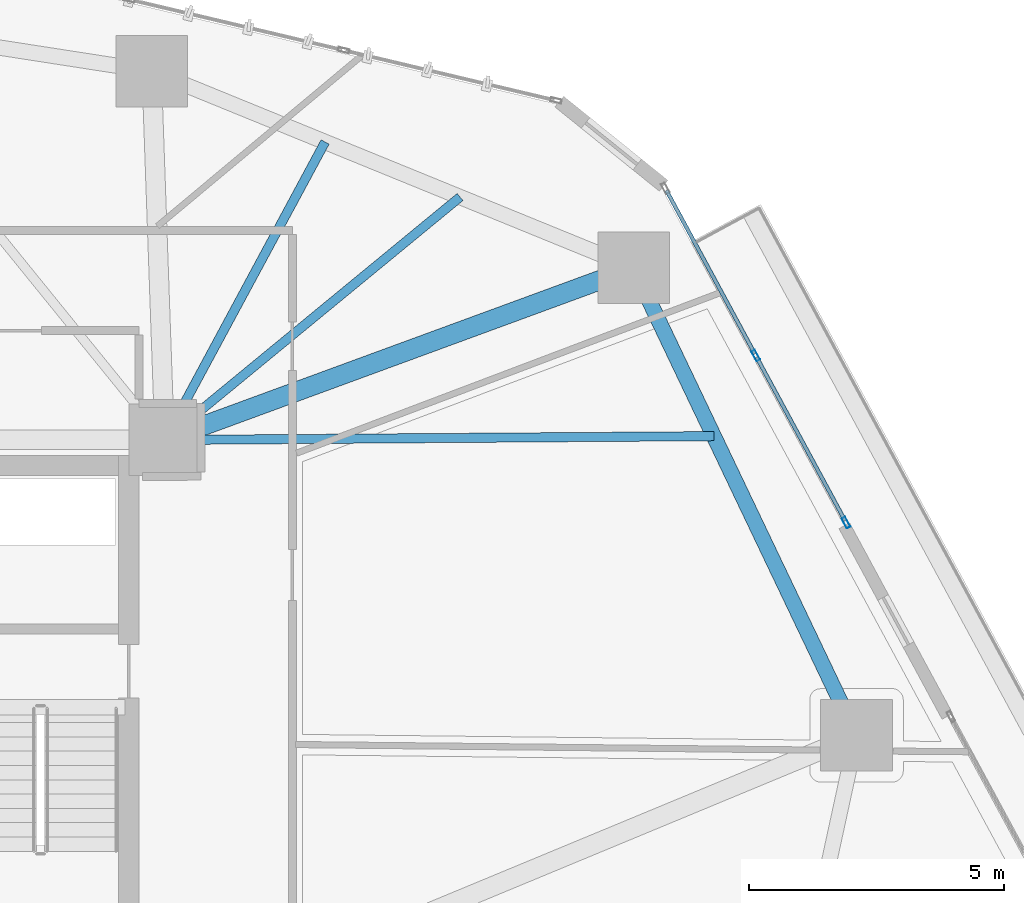
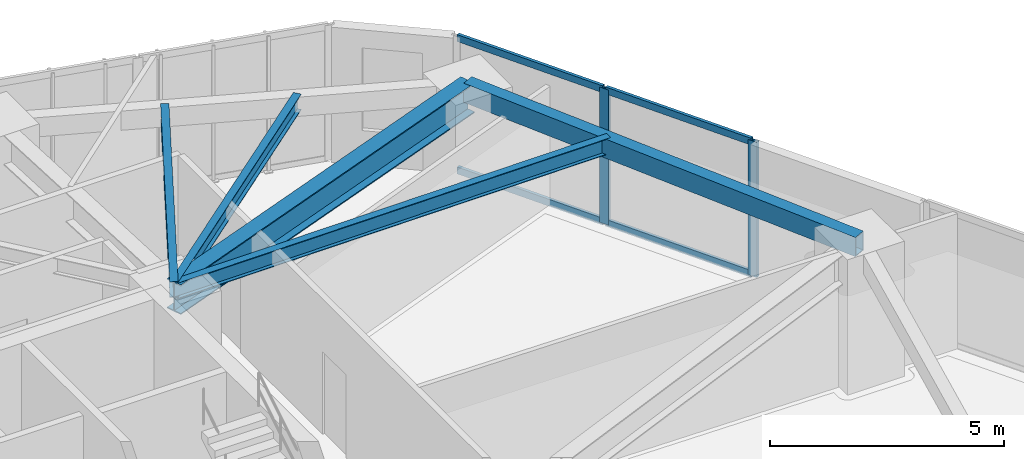
# One storey, part 12 of 23: 6 members, 5 beams, 1 element without a shape of its own.
"""IFC4 building model written with IfcOpenShell, lengths in metres."""

from ifc_helpers import new_model, si_unit, direction, frame, origin, origin_2d, place, context, subcontext, project, spatial, hollow_rectangle, i_section, extrude, source, transform, mapped, material, layer, layer_set, material_profile, profile_set, type_object, type_shapes, element, aggregate, save


model = new_model("IFC4")

# Units and contexts
model_context = context("Model", 3, precision=1e-05, world=origin(), true_north=direction((0.0, 1.0)))
body_context = subcontext(model_context, "Body", "Model", "MODEL_VIEW")
ifc_project = project(units=[si_unit("LENGTHUNIT", "METRE"), si_unit("AREAUNIT", "SQUARE_METRE"), si_unit("VOLUMEUNIT", "CUBIC_METRE"), si_unit("PLANEANGLEUNIT", "RADIAN"), si_unit("MASSUNIT", "GRAM", prefix="KILO")], contexts=[model_context])

# Site, building, storey
site_placement = place(None, origin())
site = spatial("IfcSite", under=ifc_project, at=site_placement, CompositionType="ELEMENT")
building_placement = place(site_placement, origin())
building = spatial("IfcBuilding", under=site, at=building_placement, Name="Talar Marvaseh", CompositionType="ELEMENT")
storey_placement = place(building_placement, frame((0.0, 0.0, 50.60009765625)))
storey = spatial("IfcBuildingStorey", under=building, at=storey_placement, Name="L12", CompositionType="ELEMENT", Elevation=50.60009765625)

# Beams
ifc_material_1 = material(Name="Steel S355", Category="steel")
ifc_material_profile_1 = material_profile(ifc_material_1, hollow_rectangle(XDim=0.300048828125, YDim=0.5, WallThickness=0.02001953125, at=origin_2d()), Name="RHS500x300x20")
ifc_profile_set_1 = profile_set([ifc_material_profile_1], Name="Steel S355")
beam_type_1 = type_object("IfcBeamType", Name="Zone 1 Perimeter Spandrel Beam RHS500x300x20", PredefinedType="SPANDREL", material=ifc_profile_set_1)
beam_1_placement = place(storey_placement, frame((42.47705078125, 40.26904296875, 3.27001953125), z_axis=(0.430480372911, -0.902599938255, 0.0), x_axis=(0.902599938255, 0.430480372911, 0.0)))
element("IfcBeam", 1, at=beam_1_placement, inside=storey, type_object=beam_type_1, Name="L12 Zone 1 Perimeter Spandrel Beam RHS500x300x20", PredefinedType="SPANDREL", context=body_context, shape_type="SweptSolid", body=[
    extrude(hollow_rectangle(XDim=0.300048828125, YDim=0.5, WallThickness=0.02001953125, at=origin_2d()), origin(), (0.0, 0.0, 1.0), 10.137451171875),
])
ifc_material_profile_2 = material_profile(ifc_material_1, i_section(OverallWidth=0.381103515625, OverallDepth=0.77294921875, WebThickness=0.0166015625, FlangeThickness=0.027099609375, at=origin_2d()), Name="W760x257")
ifc_profile_set_2 = profile_set([ifc_material_profile_2], Name="Steel S355")
beam_type_2 = type_object("IfcBeamType", Name="Zone 1 Radial Floor Girder W760x257", PredefinedType="BEAM", material=ifc_profile_set_2)
beam_2_placement = place(storey_placement, frame((42.47705078125, 40.26904296875, 3.13330078125), z_axis=(-0.938736057616, -0.344636930887, 0.0), x_axis=(0.344636930887, -0.938736057616, 0.0)))
element("IfcBeam", 2, at=beam_2_placement, inside=storey, type_object=beam_type_2, Name="L12 Zone 1 Radial Floor Girder W760x257", PredefinedType="BEAM", context=body_context, shape_type="SweptSolid", body=[
    extrude(i_section(OverallWidth=0.381103515625, OverallDepth=0.77294921875, WebThickness=0.0166015625, FlangeThickness=0.027099609375, at=origin_2d()), origin(), (0.0, 0.0, 1.0), 9.77587890625),
])
ifc_material_profile_3 = material_profile(ifc_material_1, i_section(OverallWidth=0.179931640625, OverallDepth=0.4130859375, WebThickness=0.009765625, FlangeThickness=0.01611328125, at=origin_2d()), Name="W410x75")
ifc_profile_set_3 = profile_set([ifc_material_profile_3], Name="Steel S355")
beam_type_3 = type_object("IfcBeamType", Name="Zone 1 Secondary Floor Joist W410x75", PredefinedType="JOIST", material=ifc_profile_set_3)
beam_3_placement = place(storey_placement, frame((44.048095703125, 36.97509765625, 3.3134765625), z_axis=(-0.999975527604, -0.006996012686, 0.0), x_axis=(0.006996012686, -0.999975527604, 0.0)))
element("IfcBeam", 3, at=beam_3_placement, inside=storey, type_object=beam_type_3, Name="L12 Zone 1 Secondary Floor Joist W410x75", PredefinedType="JOIST", context=body_context, shape_type="SweptSolid", body=[
    extrude(i_section(OverallWidth=0.179931640625, OverallDepth=0.4130859375, WebThickness=0.009765625, FlangeThickness=0.01611328125, at=origin_2d()), origin(), (0.0, 0.0, 1.0), 10.748291015625),
])
beam_4_placement = place(storey_placement, frame((36.441162109375, 42.732421875, 3.3134765625), z_axis=(-0.474161357627, -0.880437963137, 0.0), x_axis=(0.880437963137, -0.474161357627, 0.0)))
element("IfcBeam", 4, at=beam_4_placement, inside=storey, type_object=beam_type_3, Name="L12 Zone 1 Secondary Floor Joist W410x75", PredefinedType="JOIST", context=body_context, shape_type="SweptSolid", body=[
    extrude(i_section(OverallWidth=0.179931640625, OverallDepth=0.4130859375, WebThickness=0.009765625, FlangeThickness=0.01611328125, at=origin_2d()), origin(), (0.0, 0.0, 1.0), 6.62451171875),
])
beam_5_placement = place(storey_placement, frame((39.081787109375, 41.654541015625, 3.3134765625), z_axis=(-0.772375351123, -0.635166369526, 0.0), x_axis=(0.635166369526, -0.772375351123, 0.0)))
element("IfcBeam", 5, at=beam_5_placement, inside=storey, type_object=beam_type_3, Name="L12 Zone 1 Secondary Floor Joist W410x75", PredefinedType="JOIST", context=body_context, shape_type="SweptSolid", body=[
    extrude(i_section(OverallWidth=0.179931640625, OverallDepth=0.4130859375, WebThickness=0.009765625, FlangeThickness=0.01611328125, at=origin_2d()), origin(), (0.0, 0.0, 1.0), 7.485595703125),
])

# Curtain wall, members
ifc_material_2 = material(Name="Architectural Aluminium", Category="aluminium")
ifc_layer = layer(ifc_material_2, 0.219970703125)
ifc_layer_set = layer_set([ifc_layer], Name="Architectural Aluminium")
curtain_wall_type = type_object("IfcCurtainWallType", Name="Unitised Low-E Museum Curtain Wall Z1", PredefinedType="NOTDEFINED", material=ifc_layer_set)
curtain_wall_placement = place(storey_placement, origin())
curtain_wall = element("IfcCurtainWall", 6, at=curtain_wall_placement, inside=storey, type_object=curtain_wall_type, Name="L12 Unitised Low-E Museum Curtain Wall Z1", PredefinedType="NOTDEFINED")
ifc_material_profile_4 = material_profile(ifc_material_2, hollow_rectangle(XDim=0.080078125, YDim=0.219970703125, WallThickness=0.0048828125, at=origin_2d()), Name="RHS220x80x5")
ifc_profile_set_4 = profile_set([ifc_material_profile_4], Name="Architectural Aluminium")
member_type_1 = type_object("IfcMemberType", Name="Unitised Curtain Wall Heavy Mullion RHS220x80x5", PredefinedType="MULLION", material=ifc_profile_set_4)
shared_shape_1 = source(origin(), body_context, "Body", "SweptSolid", [
    extrude(hollow_rectangle(XDim=0.080078125, YDim=0.219970703125, WallThickness=0.0048828125, at=origin_2d()), origin(), (0.0, 0.0, 1.0), 3.52001953125),
])
type_shapes(member_type_1, [shared_shape_1])
member_1_placement = place(storey_placement, frame((44.868408203125, 38.552978515625, 0.0), z_axis=(0.0, 0.0, 1.0), x_axis=(0.879620132192, 0.475676805238, 0.0)))
member_1 = element("IfcMember", 7, at=member_1_placement, type_object=member_type_1, Name="CW-Z1 mullion 2", PredefinedType="MULLION", context=body_context, shape_type="MappedRepresentation", body=[
    mapped(shared_shape_1, transform((0.0, 0.0, 0.0), x_axis=(1.0, 0.0, 0.0), y_axis=(0.0, 1.0, 0.0), z_axis=(0.0, 0.0, 1.0), scale=1.0)),
])
member_2_placement = place(storey_placement, frame((46.636474609375, 35.283447265625, 0.0), z_axis=(0.0, 0.0, 1.0), x_axis=(0.879620132192, 0.475676805238, 0.0)))
member_2 = element("IfcMember", 8, at=member_2_placement, type_object=member_type_1, Name="CW-Z1 mullion 3", PredefinedType="MULLION", context=body_context, shape_type="MappedRepresentation", body=[
    mapped(shared_shape_1, transform((0.0, 0.0, 0.0), x_axis=(1.0, 0.0, 0.0), y_axis=(0.0, 1.0, 0.0), z_axis=(0.0, 0.0, 1.0), scale=1.0)),
])
ifc_material_profile_5 = material_profile(ifc_material_2, hollow_rectangle(XDim=0.074951171875, YDim=0.179931640625, WallThickness=0.0048828125, at=origin_2d()), Name="RHS180x75x5")
ifc_profile_set_5 = profile_set([ifc_material_profile_5], Name="Architectural Aluminium")
member_type_2 = type_object("IfcMemberType", Name="Unitised Curtain Wall Transom RHS180x75x5", PredefinedType="USERDEFINED", material=ifc_profile_set_5)
shared_shape_2 = source(origin(), body_context, "Body", "SweptSolid", [
    extrude(hollow_rectangle(XDim=0.074951171875, YDim=0.179931640625, WallThickness=0.0048828125, at=origin_2d()), origin(), (0.0, 0.0, 1.0), 3.63720703125),
])
type_shapes(member_type_2, [shared_shape_2])
member_3_placement = place(storey_placement, frame((43.119140625, 41.787353515625, 0.037353515625), z_axis=(0.475712173549, -0.879601004966, 0.0), x_axis=(0.879601004966, 0.475712173549, 0.0)))
member_3 = element("IfcMember", 9, at=member_3_placement, type_object=member_type_2, Name="CW-Z1 transom 1.1", ObjectType="TRANSOM", PredefinedType="USERDEFINED", context=body_context, shape_type="MappedRepresentation", body=[
    mapped(shared_shape_2, transform((0.0, 0.0, 0.0), x_axis=(1.0, 0.0, 0.0), y_axis=(0.0, 1.0, 0.0), z_axis=(0.0, 0.0, 1.0), scale=1.0)),
])
member_4_placement = place(storey_placement, frame((43.119140625, 41.787353515625, 3.482421875), z_axis=(0.475712173549, -0.879601004966, 0.0), x_axis=(0.879601004966, 0.475712173549, 0.0)))
member_4 = element("IfcMember", 10, at=member_4_placement, type_object=member_type_2, Name="CW-Z1 transom 1.2", ObjectType="TRANSOM", PredefinedType="USERDEFINED", context=body_context, shape_type="MappedRepresentation", body=[
    mapped(shared_shape_2, transform((0.0, 0.0, 0.0), x_axis=(1.0, 0.0, 0.0), y_axis=(0.0, 1.0, 0.0), z_axis=(0.0, 0.0, 1.0), scale=1.0)),
])
member_5_placement = place(storey_placement, frame((44.88720703125, 38.517822265625, 0.037353515625), z_axis=(0.475712173549, -0.879601004966, 0.0), x_axis=(0.879601004966, 0.475712173549, 0.0)))
member_5 = element("IfcMember", 11, at=member_5_placement, type_object=member_type_2, Name="CW-Z1 transom 2.1", ObjectType="TRANSOM", PredefinedType="USERDEFINED", context=body_context, shape_type="MappedRepresentation", body=[
    mapped(shared_shape_2, transform((0.0, 0.0, 0.0), x_axis=(1.0, 0.0, 0.0), y_axis=(0.0, 1.0, 0.0), z_axis=(0.0, 0.0, 1.0), scale=1.0)),
])
member_6_placement = place(storey_placement, frame((44.88720703125, 38.517822265625, 3.482421875), z_axis=(0.475712173549, -0.879601004966, 0.0), x_axis=(0.879601004966, 0.475712173549, 0.0)))
member_6 = element("IfcMember", 12, at=member_6_placement, type_object=member_type_2, Name="CW-Z1 transom 2.2", ObjectType="TRANSOM", PredefinedType="USERDEFINED", context=body_context, shape_type="MappedRepresentation", body=[
    mapped(shared_shape_2, transform((0.0, 0.0, 0.0), x_axis=(1.0, 0.0, 0.0), y_axis=(0.0, 1.0, 0.0), z_axis=(0.0, 0.0, 1.0), scale=1.0)),
])
aggregate(curtain_wall, [member_1, member_2, member_3, member_4, member_5, member_6])

save(model, "model.ifc")
